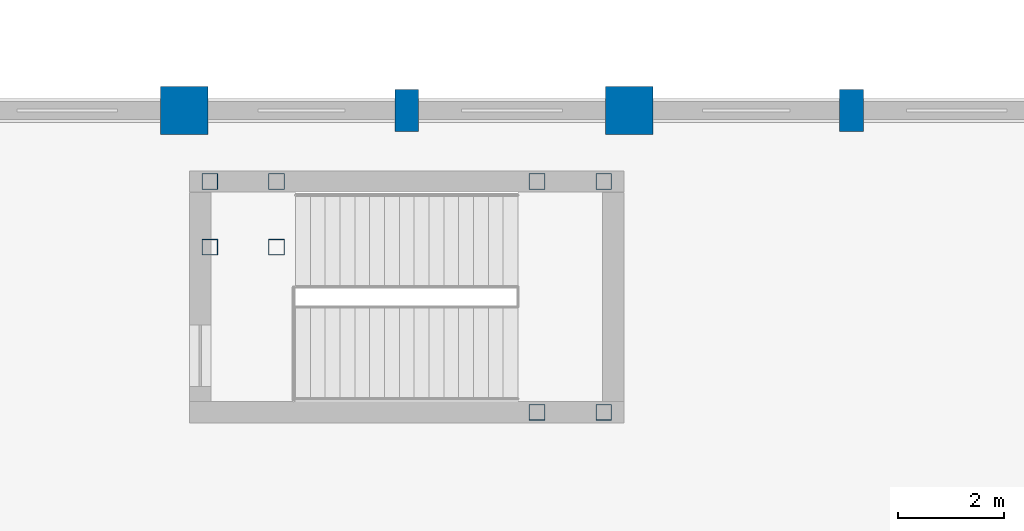
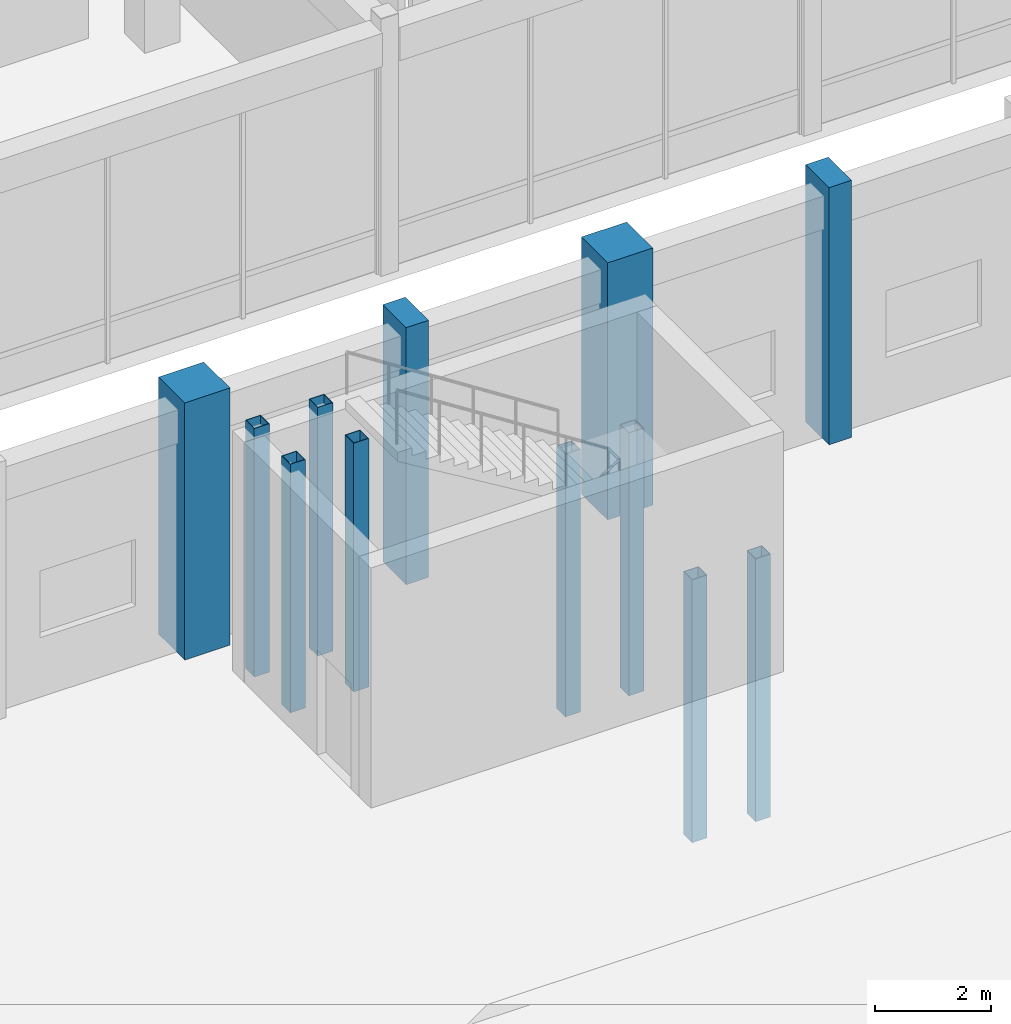
# One storey, part 3 of 79: 12 columns.
"""IFC4 building model written with IfcOpenShell, lengths in metres."""

from ifc_helpers import new_model, si_unit, direction, frame, origin, origin_2d, place, context, subcontext, project, spatial, rectangle, hollow_rectangle, extrude, material, material_profile, profile_set, type_object, element, save


model = new_model("IFC4")

# Units and contexts
model_context = context("Model", 3, precision=1e-05, world=origin(), true_north=direction((0.0, 1.0)))
body_context = subcontext(model_context, "Body", "Model", "MODEL_VIEW")
ifc_project = project(units=[si_unit("LENGTHUNIT", "METRE"), si_unit("AREAUNIT", "SQUARE_METRE"), si_unit("VOLUMEUNIT", "CUBIC_METRE"), si_unit("PLANEANGLEUNIT", "RADIAN"), si_unit("MASSUNIT", "GRAM", prefix="KILO")], contexts=[model_context])

# Site, building, storey
site_placement = place(None, origin())
site = spatial("IfcSite", under=ifc_project, at=site_placement, CompositionType="ELEMENT")
building_placement = place(site_placement, origin())
building = spatial("IfcBuilding", under=site, at=building_placement, Name="Naruveol Harbour Congress Hotel", CompositionType="ELEMENT")
storey_placement = place(building_placement, frame((0.0, 0.0, 6.0)))
storey = spatial("IfcBuildingStorey", under=building, at=storey_placement, Name="L01", CompositionType="ELEMENT", Elevation=6.0)

# Columns
ifc_material_1 = material(Name="Concrete C50/60", Category="concrete")
ifc_material_profile_1 = material_profile(ifc_material_1, rectangle(XDim=0.449951171875, YDim=0.800048828125, at=origin_2d()), Name="RC-450x800")
ifc_profile_set_1 = profile_set([ifc_material_profile_1], Name="Concrete C50/60")
column_type_1 = type_object("IfcColumnType", Name="RC ACOUSTIC WALL PILASTER 450X800", PredefinedType="PILASTER", material=ifc_profile_set_1)
for number, where, z_axis, x_axis, name in (
    (1, (21.0, 56.0, 0.0), (0.0, 0.0, 1.0), (1.0, 0.0, 0.0), "Column PL-450 L01 (21.0,56.0)"),
    (2, (29.39990234375, 56.0, 0.0), (0.0, 0.0, 1.0), (1.0, 0.0, 0.0), "Column PL-450 L01 (29.4,56.0)"),
):
    element("IfcColumn", number, at=place(storey_placement, frame(where, z_axis=z_axis, x_axis=x_axis)), inside=storey, type_object=column_type_1, Name=name, PredefinedType="PILASTER", context=body_context, shape_type="SweptSolid", body=[
        extrude(rectangle(XDim=0.449951171875, YDim=0.800048828125, at=origin_2d()), origin(), (0.0, 0.0, 1.0), 5.39990234375),
    ])
ifc_material_2 = material(Name="Concrete C50/60", Category="concrete")
ifc_material_profile_2 = material_profile(ifc_material_2, rectangle(XDim=0.89990234375, YDim=0.89990234375, at=origin_2d()), Name="RC-900x900")
ifc_profile_set_2 = profile_set([ifc_material_profile_2], Name="Concrete C50/60")
column_type_2 = type_object("IfcColumnType", Name="RC PRIMARY COLUMN 900X900", PredefinedType="COLUMN", material=ifc_profile_set_2)
for number, where, z_axis, x_axis, name in (
    (3, (16.800048828125, 56.0, 0.0), (0.0, 0.0, 1.0), (1.0, 0.0, 0.0), "Column C-900 L01 (16.8,56.0)"),
    (4, (25.199951171875, 56.0, 0.0), (0.0, 0.0, 1.0), (1.0, 0.0, 0.0), "Column C-900 L01 (25.2,56.0)"),
):
    element("IfcColumn", number, at=place(storey_placement, frame(where, z_axis=z_axis, x_axis=x_axis)), inside=storey, type_object=column_type_2, Name=name, PredefinedType="COLUMN", context=body_context, shape_type="SweptSolid", body=[
        extrude(rectangle(XDim=0.89990234375, YDim=0.89990234375, at=origin_2d()), origin(), (0.0, 0.0, 1.0), 5.39990234375),
    ])
ifc_material_3 = material(Name="Steel SN490", Category="steel")
ifc_material_profile_3 = material_profile(ifc_material_3, hollow_rectangle(XDim=0.300048828125, YDim=0.300048828125, WallThickness=0.011962890625, at=origin_2d()), Name="SHS-300x300x12")
ifc_profile_set_3 = profile_set([ifc_material_profile_3], Name="Steel SN490")
column_type_3 = type_object("IfcColumnType", Name="STEEL COLONNADE POST SHS300", PredefinedType="COLUMN", material=ifc_profile_set_3)
for number, where, z_axis, x_axis, name in (
    (5, (17.280029296875, 53.419921875, 0.0), (0.0, 0.0, 1.0), (1.0, 0.0, 0.0), "Stair landing support post ST6W #363"),
    (6, (17.280029296875, 54.659912109375, 0.0), (0.0, 0.0, 1.0), (1.0, 0.0, 0.0), "Stair landing support post ST6W #366"),
    (7, (18.5400390625, 53.419921875, 0.0), (0.0, 0.0, 1.0), (1.0, 0.0, 0.0), "Stair landing support post ST6W #369"),
    (8, (18.5400390625, 54.659912109375, 0.0), (0.0, 0.0, 1.0), (1.0, 0.0, 0.0), "Stair landing support post ST6W #372"),
):
    element("IfcColumn", number, at=place(storey_placement, frame(where, z_axis=z_axis, x_axis=x_axis)), inside=storey, type_object=column_type_3, Name=name, PredefinedType="COLUMN", context=body_context, shape_type="SweptSolid", body=[
        extrude(hollow_rectangle(XDim=0.300048828125, YDim=0.300048828125, WallThickness=0.011962890625, at=origin_2d()), origin(), (0.0, 0.0, 1.0), 5.219970703125),
    ])
for number, where, z_axis, x_axis, name in (
    (9, (23.4599609375, 50.300048828125, -3.0), (0.0, 0.0, 1.0), (1.0, 0.0, 0.0), "Stair landing support post ST6E #375"),
    (10, (23.4599609375, 54.659912109375, -3.0), (0.0, 0.0, 1.0), (1.0, 0.0, 0.0), "Stair landing support post ST6E #378"),
    (11, (24.719970703125, 50.300048828125, -3.0), (0.0, 0.0, 1.0), (1.0, 0.0, 0.0), "Stair landing support post ST6E #381"),
    (12, (24.719970703125, 54.659912109375, -3.0), (0.0, 0.0, 1.0), (1.0, 0.0, 0.0), "Stair landing support post ST6E #384"),
):
    element("IfcColumn", number, at=place(storey_placement, frame(where, z_axis=z_axis, x_axis=x_axis)), inside=storey, type_object=column_type_3, Name=name, PredefinedType="COLUMN", context=body_context, shape_type="SweptSolid", body=[
        extrude(hollow_rectangle(XDim=0.300048828125, YDim=0.300048828125, WallThickness=0.011962890625, at=origin_2d()), origin(), (0.0, 0.0, 1.0), 5.52001953125),
    ])

save(model, "model.ifc")
